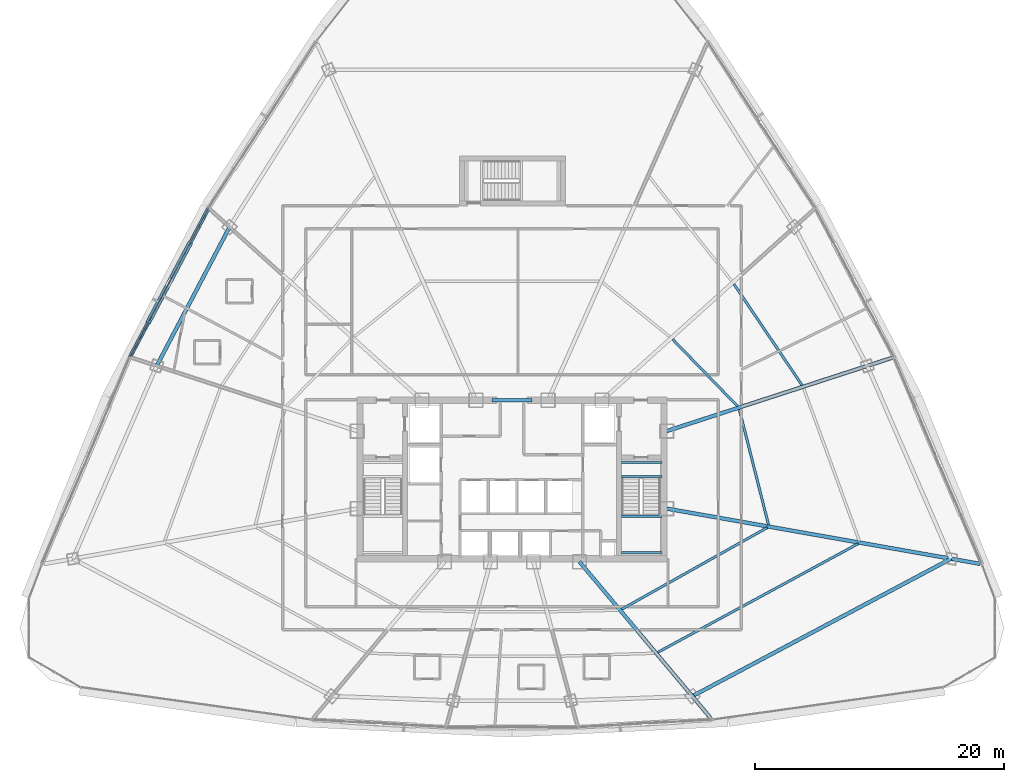
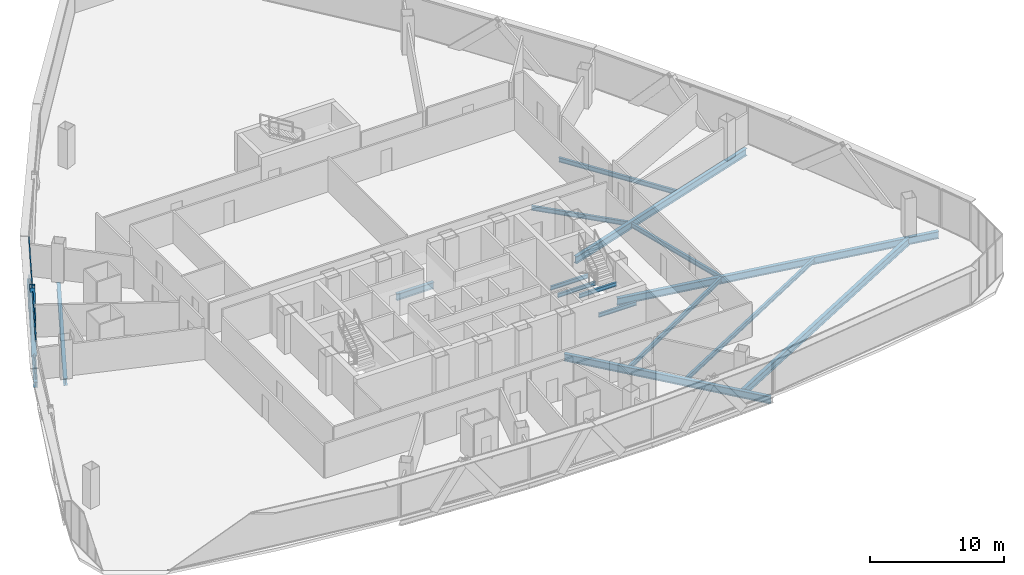
# One storey, part 15 of 40: 16 beams, 4 members, 1 element without a shape of its own.
"""IFC4 building model written with IfcOpenShell, lengths in metres."""

from ifc_helpers import new_model, si_unit, direction, frame, origin, origin_2d, place, context, subcontext, project, spatial, hollow_rectangle, i_section, extrude, source, transform, mapped, material, layer, layer_set, material_profile, profile_set, type_object, element, aggregate, save


model = new_model("IFC4")

# Units and contexts
model_context = context("Model", 3, precision=1e-05, world=origin(), true_north=direction((0.0, 1.0)))
body_context = subcontext(model_context, "Body", "Model", "MODEL_VIEW")
ifc_project = project(units=[si_unit("LENGTHUNIT", "METRE"), si_unit("AREAUNIT", "SQUARE_METRE"), si_unit("VOLUMEUNIT", "CUBIC_METRE"), si_unit("PLANEANGLEUNIT", "RADIAN"), si_unit("MASSUNIT", "GRAM", prefix="KILO"), si_unit("THERMODYNAMICTEMPERATUREUNIT", "KELVIN"), si_unit("POWERUNIT", "WATT")], contexts=[model_context])

# Site, building, storey
site_placement = place(None, origin())
site = spatial("IfcSite", under=ifc_project, at=site_placement, CompositionType="ELEMENT")
building_placement = place(site_placement, origin())
building = spatial("IfcBuilding", under=site, at=building_placement, Name="Yunzhuo Pagoda Commons", CompositionType="ELEMENT")
storey_placement = place(building_placement, frame((0.0, 0.0, 180.9599609375)))
storey = spatial("IfcBuildingStorey", under=building, at=storey_placement, Name="L45", CompositionType="ELEMENT", Elevation=180.9599609375)

# Beams
ifc_material_1 = material(Name="Structural steel Q355B", Category="steel")
ifc_material_profile_1 = material_profile(ifc_material_1, i_section(OverallWidth=0.175048828125, OverallDepth=0.35009765625, WebThickness=0.007080078125, FlangeThickness=0.010986328125, at=origin_2d()), Name="Structural steel Q355B")
ifc_profile_set_1 = profile_set([ifc_material_profile_1], Name="Structural steel Q355B")
beam_type_1 = type_object("IfcBeamType", Name="B-JS2 Joist HN 350x175x7x11", PredefinedType="JOIST", material=ifc_profile_set_1)
shared_shape_1 = source(origin(), body_context, "Body", "SweptSolid", [
    extrude(i_section(OverallWidth=0.175048828125, OverallDepth=0.35009765625, WebThickness=0.007080078125, FlangeThickness=0.010986328125, at=origin_2d()), origin(), (0.0, 0.0, 1.0), 3.25),
])
for number, where, z_axis, x_axis, name in (
    (1, (56.800048828125, 28.0, 1.525146484375), (1.0, 0.0, 0.0), (0.0, 1.0, 0.0), "L45 ST2 landing support beam 51A"),
    (2, (56.800048828125, 30.89990234375, 1.525146484375), (1.0, 0.0, 0.0), (0.0, 1.0, 0.0), "L45 ST2 landing support beam 51B"),
    (3, (56.800048828125, 34.10009765625, -0.375), (1.0, 0.0, 0.0), (0.0, 1.0, 0.0), "L45 ST2 landing support beam 149A"),
    (4, (56.800048828125, 35.199951171875, -0.375), (1.0, 0.0, 0.0), (0.0, 1.0, 0.0), "L45 ST2 landing support beam 149B"),
):
    element("IfcBeam", number, at=place(storey_placement, frame(where, z_axis=z_axis, x_axis=x_axis)), inside=storey, type_object=beam_type_1, Name=name, PredefinedType="JOIST", context=body_context, shape_type="MappedRepresentation", body=[
        mapped(shared_shape_1, transform((0.0, 0.0, 0.0), scale=1.0)),
    ])
ifc_material_2 = material(Name="Structural steel Q420B", Category="steel")
ifc_material_profile_2 = material_profile(ifc_material_2, i_section(OverallWidth=0.300048828125, OverallDepth=0.587890625, WebThickness=0.011962890625, FlangeThickness=0.02001953125, at=origin_2d()), Name="Structural steel Q420B")
ifc_profile_set_2 = profile_set([ifc_material_profile_2], Name="Structural steel Q420B")
beam_type_2 = type_object("IfcBeamType", Name="B-CPL Beam HM 588x300x12x20", PredefinedType="BEAM", material=ifc_profile_set_2)
shared_shape_2 = source(origin(), body_context, "Body", "SweptSolid", [
    extrude(i_section(OverallWidth=0.300048828125, OverallDepth=0.587890625, WebThickness=0.011962890625, FlangeThickness=0.02001953125, at=origin_2d()), origin(), (0.0, 0.0, 1.0), 3.2001953125),
])
beam_1_placement = place(storey_placement, frame((46.39990234375, 40.199951171875, -0.553955078125), z_axis=(1.0, 0.0, 0.0), x_axis=(0.0, 1.0, 0.0)))
element("IfcBeam", 5, at=beam_1_placement, inside=storey, type_object=beam_type_2, Name="L45 core coupling girder", PredefinedType="BEAM", context=body_context, shape_type="MappedRepresentation", body=[
    mapped(shared_shape_2, transform((0.0, 0.0, 0.0), scale=1.0)),
])
ifc_material_profile_3 = material_profile(ifc_material_1, i_section(OverallWidth=0.300048828125, OverallDepth=0.488037109375, WebThickness=0.010986328125, FlangeThickness=0.01806640625, at=origin_2d()), Name="Structural steel Q355B")
ifc_profile_set_3 = profile_set([ifc_material_profile_3], Name="Structural steel Q355B")
beam_type_3 = type_object("IfcBeamType", Name="B-SP1 Beam HM 488x300x11x18", PredefinedType="BEAM", material=ifc_profile_set_3)
shared_shape_3 = source(origin(), body_context, "Body", "SweptSolid", [
    extrude(i_section(OverallWidth=0.300048828125, OverallDepth=0.488037109375, WebThickness=0.010986328125, FlangeThickness=0.01806640625, at=origin_2d()), origin(), (0.0, 0.0, 1.0), 13.517333984375),
])
beam_2_placement = place(storey_placement, frame((23.66455078125, 55.61181640625, -0.50390625), z_axis=(-0.466756265166, -0.884385995439, 0.0), x_axis=(0.884385995439, -0.466756265166, 0.0)))
element("IfcBeam", 6, at=beam_2_placement, inside=storey, type_object=beam_type_3, Name="L45 facade edge spandrel beam F3.2", PredefinedType="BEAM", context=body_context, shape_type="MappedRepresentation", body=[
    mapped(shared_shape_3, transform((0.0, 0.0, 0.0), scale=1.0)),
])
ifc_material_profile_4 = material_profile(ifc_material_1, i_section(OverallWidth=0.300048828125, OverallDepth=0.64990234375, WebThickness=0.012939453125, FlangeThickness=0.02197265625, at=origin_2d()), Name="Structural steel Q355B")
ifc_profile_set_4 = profile_set([ifc_material_profile_4], Name="Structural steel Q355B")
beam_type_4 = type_object("IfcBeamType", Name="B-RG2 Beam HN 650x300x13x22", PredefinedType="BEAM", material=ifc_profile_set_4)
shared_shape_4 = source(origin(), body_context, "Body", "SweptSolid", [
    extrude(i_section(OverallWidth=0.300048828125, OverallDepth=0.64990234375, WebThickness=0.012939453125, FlangeThickness=0.02197265625, at=origin_2d()), origin(), (0.0, 0.0, 1.0), 23.49365234375),
])
beam_3_placement = place(storey_placement, frame((62.461181640625, 16.4658203125, -0.5849609375), z_axis=(0.883016269865, 0.469342377325, 0.0), x_axis=(-0.469342377325, 0.883016269865, 0.0)))
element("IfcBeam", 7, at=beam_3_placement, inside=storey, type_object=beam_type_4, Name="L45 column-ring beam 4", PredefinedType="BEAM", context=body_context, shape_type="MappedRepresentation", body=[
    mapped(shared_shape_4, transform((0.0, 0.0, 0.0), scale=1.0)),
])
shared_shape_5 = source(origin(), body_context, "Body", "SweptSolid", [
    extrude(i_section(OverallWidth=0.300048828125, OverallDepth=0.64990234375, WebThickness=0.012939453125, FlangeThickness=0.02197265625, at=origin_2d()), origin(), (0.0, 0.0, 1.0), 12.576416015625),
])
beam_4_placement = place(storey_placement, frame((25.349365234375, 54.0947265625, -0.5849609375), z_axis=(-0.464676385233, -0.885480579689, 0.0), x_axis=(0.885480579689, -0.464676385233, 0.0)))
element("IfcBeam", 8, at=beam_4_placement, inside=storey, type_object=beam_type_4, Name="L45 column-ring beam 10", PredefinedType="BEAM", context=body_context, shape_type="MappedRepresentation", body=[
    mapped(shared_shape_5, transform((0.0, 0.0, 0.0), scale=1.0)),
])
shared_shape_6 = source(origin(), body_context, "Body", "SweptSolid", [
    extrude(i_section(OverallWidth=0.300048828125, OverallDepth=0.64990234375, WebThickness=0.012939453125, FlangeThickness=0.02197265625, at=origin_2d()), origin(), (0.0, 0.0, 1.0), 16.390625),
])
beam_5_placement = place(storey_placement, frame((63.94775390625, 14.694091796875, -0.5849609375), z_axis=(-0.642787129535, 0.766044846014, 0.0), x_axis=(-0.766044846014, -0.642787129535, 0.0)))
element("IfcBeam", 9, at=beam_5_placement, inside=storey, type_object=beam_type_4, Name="L45 radial floor girder F1C4", PredefinedType="BEAM", context=body_context, shape_type="MappedRepresentation", body=[
    mapped(shared_shape_6, transform((0.0, 0.0, 0.0), scale=1.0)),
])
shared_shape_7 = source(origin(), body_context, "Body", "SweptSolid", [
    extrude(i_section(OverallWidth=0.300048828125, OverallDepth=0.64990234375, WebThickness=0.012939453125, FlangeThickness=0.02197265625, at=origin_2d()), origin(), (0.0, 0.0, 1.0), 25.52734375),
])
beam_6_placement = place(storey_placement, frame((85.53955078125, 27.0810546875, -0.5849609375), z_axis=(-0.984810601719, 0.173632021076, 0.0), x_axis=(-0.173632021076, -0.984810601719, 0.0)))
element("IfcBeam", 10, at=beam_6_placement, inside=storey, type_object=beam_type_4, Name="L45 radial floor girder F2C1", PredefinedType="BEAM", context=body_context, shape_type="MappedRepresentation", body=[
    mapped(shared_shape_7, transform((0.0, 0.0, 0.0), scale=1.0)),
])
shared_shape_8 = source(origin(), body_context, "Body", "SweptSolid", [
    extrude(i_section(OverallWidth=0.300048828125, OverallDepth=0.64990234375, WebThickness=0.012939453125, FlangeThickness=0.02197265625, at=origin_2d()), origin(), (0.0, 0.0, 1.0), 19.029296875),
])
beam_7_placement = place(storey_placement, frame((78.497802734375, 43.609375, -0.5849609375), z_axis=(-0.95105641133, -0.309017317424, 0.0), x_axis=(0.309017317424, -0.95105641133, 0.0)))
element("IfcBeam", 11, at=beam_7_placement, inside=storey, type_object=beam_type_4, Name="L45 radial floor girder F2C2", PredefinedType="BEAM", context=body_context, shape_type="MappedRepresentation", body=[
    mapped(shared_shape_8, transform((0.0, 0.0, 0.0), scale=1.0)),
])
ifc_material_profile_5 = material_profile(ifc_material_1, i_section(OverallWidth=0.199951171875, OverallDepth=0.39990234375, WebThickness=0.008056640625, FlangeThickness=0.012939453125, at=origin_2d()), Name="Structural steel Q355B")
ifc_profile_set_5 = profile_set([ifc_material_profile_5], Name="Structural steel Q355B")
beam_type_5 = type_object("IfcBeamType", Name="B-JS1 Joist HN 400x200x8x13", PredefinedType="JOIST", material=ifc_profile_set_5)
shared_shape_9 = source(origin(), body_context, "Body", "SweptSolid", [
    extrude(i_section(OverallWidth=0.199951171875, OverallDepth=0.39990234375, WebThickness=0.008056640625, FlangeThickness=0.012939453125, at=origin_2d()), origin(), (0.0, 0.0, 1.0), 13.372802734375),
])
beam_8_placement = place(storey_placement, frame((56.80859375, 23.445556640625, -0.4599609375), z_axis=(0.872150261016, 0.4892381038, 0.0), x_axis=(-0.4892381038, 0.872150261016, 0.0)))
element("IfcBeam", 12, at=beam_8_placement, inside=storey, type_object=beam_type_5, Name="L45 composite ring joist 1.4", PredefinedType="JOIST", context=body_context, shape_type="MappedRepresentation", body=[
    mapped(shared_shape_9, transform((0.0, 0.0, 0.0), scale=1.0)),
])
shared_shape_10 = source(origin(), body_context, "Body", "SweptSolid", [
    extrude(i_section(OverallWidth=0.199951171875, OverallDepth=0.39990234375, WebThickness=0.008056640625, FlangeThickness=0.012939453125, at=origin_2d()), origin(), (0.0, 0.0, 1.0), 18.27294921875),
])
beam_9_placement = place(storey_placement, frame((59.705322265625, 19.992431640625, -0.4599609375), z_axis=(0.879067821824, 0.476696721861, 0.0), x_axis=(-0.476696721861, 0.879067821824, 0.0)))
element("IfcBeam", 13, at=beam_9_placement, inside=storey, type_object=beam_type_5, Name="L45 composite ring joist 2.4", PredefinedType="JOIST", context=body_context, shape_type="MappedRepresentation", body=[
    mapped(shared_shape_10, transform((0.0, 0.0, 0.0), scale=1.0)),
])
shared_shape_11 = source(origin(), body_context, "Body", "SweptSolid", [
    extrude(i_section(OverallWidth=0.199951171875, OverallDepth=0.39990234375, WebThickness=0.008056640625, FlangeThickness=0.012939453125, at=origin_2d()), origin(), (0.0, 0.0, 1.0), 9.529052734375),
])
beam_10_placement = place(storey_placement, frame((68.5712890625, 30.219970703125, -0.4599609375), z_axis=(-0.245367921097, 0.969430030119, 0.0), x_axis=(-0.969430030119, -0.245367921097, 0.0)))
element("IfcBeam", 14, at=beam_10_placement, inside=storey, type_object=beam_type_5, Name="L45 composite ring joist 1.5", PredefinedType="JOIST", context=body_context, shape_type="MappedRepresentation", body=[
    mapped(shared_shape_11, transform((0.0, 0.0, 0.0), scale=1.0)),
])
shared_shape_12 = source(origin(), body_context, "Body", "SweptSolid", [
    extrude(i_section(OverallWidth=0.199951171875, OverallDepth=0.39990234375, WebThickness=0.008056640625, FlangeThickness=0.012939453125, at=origin_2d()), origin(), (0.0, 0.0, 1.0), 7.46826171875),
])
beam_11_placement = place(storey_placement, frame((66.08349609375, 39.725830078125, -0.4599609375), z_axis=(-0.696070782679, 0.717973164889, 0.0), x_axis=(-0.717973164889, -0.696070782679, 0.0)))
element("IfcBeam", 15, at=beam_11_placement, inside=storey, type_object=beam_type_5, Name="L45 composite ring joist 1.6", PredefinedType="JOIST", context=body_context, shape_type="MappedRepresentation", body=[
    mapped(shared_shape_12, transform((0.0, 0.0, 0.0), scale=1.0)),
])
shared_shape_13 = source(origin(), body_context, "Body", "SweptSolid", [
    extrude(i_section(OverallWidth=0.199951171875, OverallDepth=0.39990234375, WebThickness=0.008056640625, FlangeThickness=0.012939453125, at=origin_2d()), origin(), (0.0, 0.0, 1.0), 9.764892578125),
])
beam_12_placement = place(storey_placement, frame((71.255615234375, 41.4169921875, -0.4599609375), z_axis=(-0.558548425455, 0.829471914185, 0.0), x_axis=(-0.829471914185, -0.558548425455, 0.0)))
element("IfcBeam", 16, at=beam_12_placement, inside=storey, type_object=beam_type_5, Name="L45 composite ring joist 2.6", PredefinedType="JOIST", context=body_context, shape_type="MappedRepresentation", body=[
    mapped(shared_shape_13, transform((0.0, 0.0, 0.0), scale=1.0)),
])

# Members
ifc_material_profile_6 = material_profile(ifc_material_1, hollow_rectangle(XDim=0.39990234375, YDim=0.719970703125, WallThickness=0.02392578125, at=origin_2d()), Name="Structural steel Q355B")
ifc_profile_set_6 = profile_set([ifc_material_profile_6], Name="Structural steel Q355B")
member_type_1 = type_object("IfcMemberType", Name="M-DL2 Brace BOX 720x400x24", PredefinedType="BRACE", material=ifc_profile_set_6)
shared_shape_14 = source(origin(), body_context, "Body", "SweptSolid", [
    extrude(hollow_rectangle(XDim=0.39990234375, YDim=0.719970703125, WallThickness=0.02392578125, at=origin_2d()), origin(), (0.0, 0.0, 1.0), 5.08544921875),
])
member_1_placement = place(storey_placement, frame((18.932373046875, 46.645751953125, -0.260009765625), z_axis=(0.310171947084, 0.587747275677, 0.747225871592), x_axis=(-0.884402146748, 0.466725661205, 0.0)))
element("IfcMember", 17, at=member_1_placement, inside=storey, type_object=member_type_1, Name="L45 facade diamond brace F3.2R", PredefinedType="BRACE", context=body_context, shape_type="MappedRepresentation", body=[
    mapped(shared_shape_14, transform((0.0, 0.0, 0.0), scale=1.0)),
])
shared_shape_15 = source(origin(), body_context, "Body", "SweptSolid", [
    extrude(hollow_rectangle(XDim=0.39990234375, YDim=0.719970703125, WallThickness=0.02392578125, at=origin_2d()), origin(), (0.0, 0.0, 1.0), 5.085205078125),
])
member_2_placement = place(storey_placement, frame((22.087158203125, 52.623046875, -0.260009765625), z_axis=(-0.310198202512, -0.587652994698, 0.747289122751), x_axis=(0.884354926157, -0.466815128913, 0.0)))
element("IfcMember", 18, at=member_2_placement, inside=storey, type_object=member_type_1, Name="L45 facade diamond brace F3.2L", PredefinedType="BRACE", context=body_context, shape_type="MappedRepresentation", body=[
    mapped(shared_shape_15, transform((0.0, 0.0, 0.0), scale=1.0)),
])

# Curtain wall, members
ifc_material_3 = material(Name="Anodized aluminium 6063-T6", Category="aluminium")
ifc_layer = layer(ifc_material_3, 0.14990234375)
ifc_layer_set = layer_set([ifc_layer], Name="Anodized aluminium 6063-T6")
curtain_wall_type = type_object("IfcCurtainWallType", Name="CW-MID Mid-Zone Ribbon Curtain Wall", PredefinedType="NOTDEFINED", material=ifc_layer_set)
curtain_wall_placement = place(storey_placement, origin())
curtain_wall = element("IfcCurtainWall", 19, at=curtain_wall_placement, inside=storey, type_object=curtain_wall_type, Name="L45 curtain wall CW-L45-F3B3", PredefinedType="NOTDEFINED")
ifc_material_profile_7 = material_profile(ifc_material_3, hollow_rectangle(XDim=0.054931640625, YDim=0.1298828125, WallThickness=0.00341796875, at=origin_2d()), Name="Anodized aluminium 6063-T6")
ifc_profile_set_7 = profile_set([ifc_material_profile_7], Name="Anodized aluminium 6063-T6")
member_type_2 = type_object("IfcMemberType", Name="CW-MID-T Transom RHS 130x55x3.5", PredefinedType="USERDEFINED", material=ifc_profile_set_7)
shared_shape_16 = source(origin(), body_context, "Body", "SweptSolid", [
    extrude(hollow_rectangle(XDim=0.054931640625, YDim=0.1298828125, WallThickness=0.00341796875, at=origin_2d()), origin(), (0.0, 0.0, 1.0), 13.3974609375),
])
member_3_placement = place(storey_placement, frame((23.636474609375, 55.55859375, 0.027587890625), z_axis=(-0.466764558252, -0.884381618511, 0.0), x_axis=(0.884381618511, -0.466764558252, 0.0)))
member_3 = element("IfcMember", 20, at=member_3_placement, type_object=member_type_2, Name="CW transom 1.1", ObjectType="TRANSOM", PredefinedType="USERDEFINED", context=body_context, shape_type="MappedRepresentation", body=[
    mapped(shared_shape_16, transform((0.0, 0.0, 0.0), scale=1.0)),
])
member_4_placement = place(storey_placement, frame((23.636474609375, 55.55859375, 3.512451171875), z_axis=(-0.466764558252, -0.884381618511, 0.0), x_axis=(0.884381618511, -0.466764558252, 0.0)))
member_4 = element("IfcMember", 21, at=member_4_placement, type_object=member_type_2, Name="CW transom 1.2", ObjectType="TRANSOM", PredefinedType="USERDEFINED", context=body_context, shape_type="MappedRepresentation", body=[
    mapped(shared_shape_16, transform((0.0, 0.0, 0.0), scale=1.0)),
])
aggregate(curtain_wall, [member_3, member_4])

save(model, "model.ifc")
